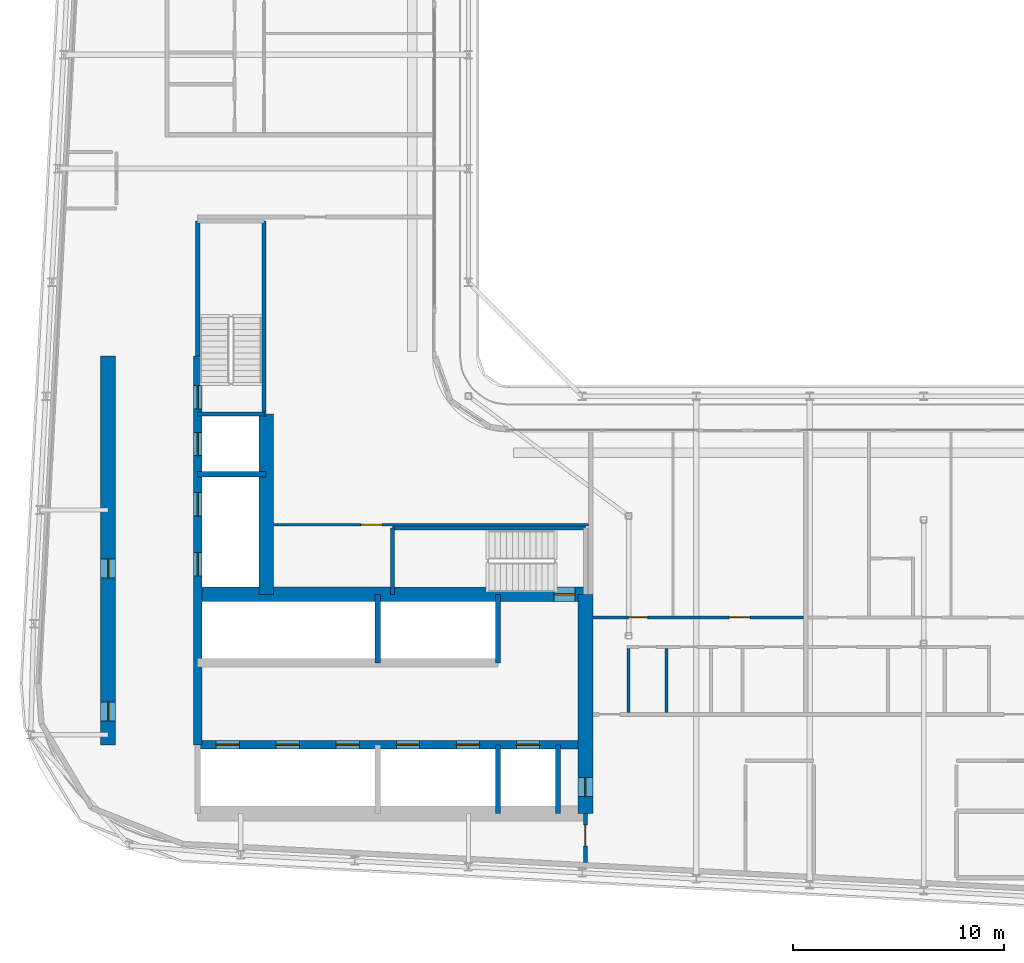
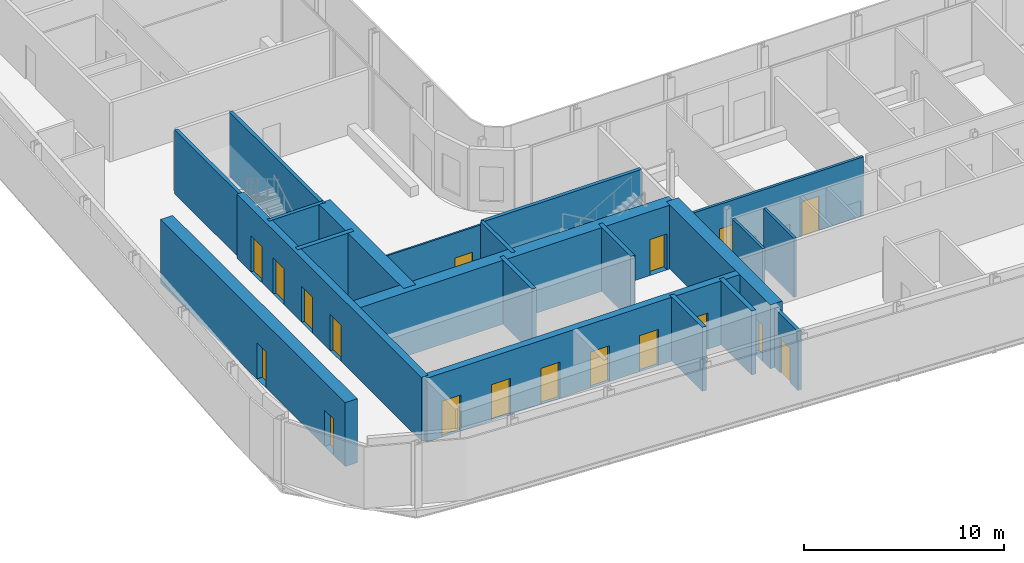
# One storey, part 10 of 22: 22 walls, 18 doors, 18 openings.
"""IFC4 building model written with IfcOpenShell, lengths in metres."""

from ifc_helpers import new_model, si_unit, direction, frame, frame_2d, origin, place, context, subcontext, project, spatial, rectangle, extrude, source, transform, mapped, material, layer, layer_set, type_object, element, fill, save


model = new_model("IFC4")

# Units and contexts
model_context = context("Model", 3, precision=1e-05, world=origin(), true_north=direction((0.0, 1.0)))
body_context = subcontext(model_context, "Body", "Model", "MODEL_VIEW")
ifc_project = project(units=[si_unit("LENGTHUNIT", "METRE"), si_unit("AREAUNIT", "SQUARE_METRE"), si_unit("VOLUMEUNIT", "CUBIC_METRE"), si_unit("PLANEANGLEUNIT", "RADIAN"), si_unit("MASSUNIT", "GRAM", prefix="KILO")], contexts=[model_context])

# Site, building, storey
site_placement = place(None, origin())
site = spatial("IfcSite", under=ifc_project, at=site_placement, CompositionType="ELEMENT")
building_placement = place(site_placement, origin())
building = spatial("IfcBuilding", under=site, at=building_placement, Name="Kheshtan School and Residences Tower", CompositionType="ELEMENT")
storey_placement = place(building_placement, frame((0.0, 0.0, 251.300048828125)))
storey = spatial("IfcBuildingStorey", under=building, at=storey_placement, Name="L59", CompositionType="ELEMENT", Elevation=251.300048828125)

# Wall, openings, doors
ifc_material_1 = material(Name="Concrete C50/60", Category="concrete")
ifc_layer_1 = layer(ifc_material_1, 0.39990234375)
ifc_layer_set_1 = layer_set([ifc_layer_1], Name="Core wall 400 Concrete C50/60")
wall_type_1 = type_object("IfcWallType", Name="Core wall 400 Concrete C50/60", PredefinedType="SHEAR", material=ifc_layer_set_1)
wall_1_placement = place(storey_placement, frame((34.75, 29.050048828125, 0.0), z_axis=(0.0, 0.0, 1.0), x_axis=(1.0, 0.0, 0.0)))
wall_1 = element("IfcWall", 1, at=wall_1_placement, inside=storey, type_object=wall_type_1, Name="Core wall CW-HALL-S1", PredefinedType="SHEAR", context=body_context, shape_type="SweptSolid", body=[
    extrude(rectangle(XDim=18.39990234375, YDim=0.39990234375, at=frame_2d((9.199951171875, 0.0))), origin(), (0.0, 0.0, 1.0), 3.89990234375),
])
opening_1_placement = place(wall_1_placement, frame((0.875, 0.0, 0.0)))
opening_1 = element("IfcOpeningElement", 2, at=opening_1_placement, cuts=wall_1, Name="Opening LD", PredefinedType="OPENING", context=body_context, shape_type="SweptSolid", body=[
    extrude(rectangle(XDim=1.10009765625, YDim=2.199951171875, at=frame_2d((0.550048828125, 1.10009765625))), frame((0.0, 0.2099609375, 0.0), z_axis=(0.0, -1.0, 0.0), x_axis=(1.0, 0.0, 0.0)), (0.0, 0.0, 1.0), 0.419921875),
])
opening_2_placement = place(wall_1_placement, frame((3.72509765625, 0.0, 0.0)))
opening_2 = element("IfcOpeningElement", 3, at=opening_2_placement, cuts=wall_1, Name="Opening LD", PredefinedType="OPENING", context=body_context, shape_type="SweptSolid", body=[
    extrude(rectangle(XDim=1.10009765625, YDim=2.199951171875, at=frame_2d((0.550048828125, 1.10009765625))), frame((0.0, 0.2099609375, 0.0), z_axis=(0.0, -1.0, 0.0), x_axis=(1.0, 0.0, 0.0)), (0.0, 0.0, 1.0), 0.419921875),
])
opening_3_placement = place(wall_1_placement, frame((6.574951171875, 0.0, 0.0)))
opening_3 = element("IfcOpeningElement", 4, at=opening_3_placement, cuts=wall_1, Name="Opening LD", PredefinedType="OPENING", context=body_context, shape_type="SweptSolid", body=[
    extrude(rectangle(XDim=1.10009765625, YDim=2.199951171875, at=frame_2d((0.550048828125, 1.10009765625))), frame((0.0, 0.2099609375, 0.0), z_axis=(0.0, -1.0, 0.0), x_axis=(1.0, 0.0, 0.0)), (0.0, 0.0, 1.0), 0.419921875),
])
opening_4_placement = place(wall_1_placement, frame((9.425048828125, 0.0, 0.0)))
opening_4 = element("IfcOpeningElement", 5, at=opening_4_placement, cuts=wall_1, Name="Opening LD", PredefinedType="OPENING", context=body_context, shape_type="SweptSolid", body=[
    extrude(rectangle(XDim=1.10009765625, YDim=2.199951171875, at=frame_2d((0.550048828125, 1.10009765625))), frame((0.0, 0.2099609375, 0.0), z_axis=(0.0, -1.0, 0.0), x_axis=(1.0, 0.0, 0.0)), (0.0, 0.0, 1.0), 0.419921875),
])
opening_5_placement = place(wall_1_placement, frame((12.27490234375, 0.0, 0.0)))
opening_5 = element("IfcOpeningElement", 6, at=opening_5_placement, cuts=wall_1, Name="Opening LD", PredefinedType="OPENING", context=body_context, shape_type="SweptSolid", body=[
    extrude(rectangle(XDim=1.10009765625, YDim=2.199951171875, at=frame_2d((0.550048828125, 1.10009765625))), frame((0.0, 0.2099609375, 0.0), z_axis=(0.0, -1.0, 0.0), x_axis=(1.0, 0.0, 0.0)), (0.0, 0.0, 1.0), 0.419921875),
])
opening_6_placement = place(wall_1_placement, frame((15.125, 0.0, 0.0)))
opening_6 = element("IfcOpeningElement", 7, at=opening_6_placement, cuts=wall_1, Name="Opening LD", PredefinedType="OPENING", context=body_context, shape_type="SweptSolid", body=[
    extrude(rectangle(XDim=1.10009765625, YDim=2.199951171875, at=frame_2d((0.550048828125, 1.10009765625))), frame((0.0, 0.2099609375, 0.0), z_axis=(0.0, -1.0, 0.0), x_axis=(1.0, 0.0, 0.0)), (0.0, 0.0, 1.0), 0.419921875),
])
ifc_material_2 = material(Name="Stainless steel door leaves", Category="steel")
door_type_1 = type_object("IfcDoorType", Name="Lift landing door 1100", OperationType="SLIDING_TO_LEFT", PredefinedType="DOOR", material=ifc_material_2)
shared_shape_1 = source(origin(), body_context, "Body", "SweptSolid", [
    extrude(rectangle(XDim=1.10009765625, YDim=2.199951171875, at=frame_2d((0.550048828125, 1.10009765625))), frame((0.0, 0.02490234375, 0.0), z_axis=(0.0, -1.0, 0.0), x_axis=(1.0, 0.0, 0.0)), (0.0, 0.0, 1.0), 0.050048828125),
])
door_1_placement = place(opening_1_placement, origin())
door_1 = element("IfcDoor", 8, at=door_1_placement, inside=storey, type_object=door_type_1, Name="Lift P7 landing door", OperationType="SLIDING_TO_LEFT", OverallHeight=2.199951171875, OverallWidth=1.10009765625, PredefinedType="DOOR", context=body_context, shape_type="MappedRepresentation", body=[
    mapped(shared_shape_1, transform((0.0, 0.0, 0.0), x_axis=(1.0, 0.0, 0.0), y_axis=(0.0, 1.0, 0.0), z_axis=(0.0, 0.0, 1.0), scale=1.0)),
])
fill(opening_1, door_1)
door_2_placement = place(opening_2_placement, origin())
door_2 = element("IfcDoor", 9, at=door_2_placement, inside=storey, type_object=door_type_1, Name="Lift P8 landing door", OperationType="SLIDING_TO_LEFT", OverallHeight=2.199951171875, OverallWidth=1.10009765625, PredefinedType="DOOR", context=body_context, shape_type="MappedRepresentation", body=[
    mapped(shared_shape_1, transform((0.0, 0.0, 0.0), x_axis=(1.0, 0.0, 0.0), y_axis=(0.0, 1.0, 0.0), z_axis=(0.0, 0.0, 1.0), scale=1.0)),
])
fill(opening_2, door_2)
door_3_placement = place(opening_3_placement, origin())
door_3 = element("IfcDoor", 10, at=door_3_placement, inside=storey, type_object=door_type_1, Name="Lift P9 landing door", OperationType="SLIDING_TO_LEFT", OverallHeight=2.199951171875, OverallWidth=1.10009765625, PredefinedType="DOOR", context=body_context, shape_type="MappedRepresentation", body=[
    mapped(shared_shape_1, transform((0.0, 0.0, 0.0), x_axis=(1.0, 0.0, 0.0), y_axis=(0.0, 1.0, 0.0), z_axis=(0.0, 0.0, 1.0), scale=1.0)),
])
fill(opening_3, door_3)
door_4_placement = place(opening_4_placement, origin())
door_4 = element("IfcDoor", 11, at=door_4_placement, inside=storey, type_object=door_type_1, Name="Lift P10 landing door", OperationType="SLIDING_TO_LEFT", OverallHeight=2.199951171875, OverallWidth=1.10009765625, PredefinedType="DOOR", context=body_context, shape_type="MappedRepresentation", body=[
    mapped(shared_shape_1, transform((0.0, 0.0, 0.0), x_axis=(1.0, 0.0, 0.0), y_axis=(0.0, 1.0, 0.0), z_axis=(0.0, 0.0, 1.0), scale=1.0)),
])
fill(opening_4, door_4)
door_5_placement = place(opening_5_placement, origin())
door_5 = element("IfcDoor", 12, at=door_5_placement, inside=storey, type_object=door_type_1, Name="Lift P11 landing door", OperationType="SLIDING_TO_LEFT", OverallHeight=2.199951171875, OverallWidth=1.10009765625, PredefinedType="DOOR", context=body_context, shape_type="MappedRepresentation", body=[
    mapped(shared_shape_1, transform((0.0, 0.0, 0.0), x_axis=(1.0, 0.0, 0.0), y_axis=(0.0, 1.0, 0.0), z_axis=(0.0, 0.0, 1.0), scale=1.0)),
])
fill(opening_5, door_5)
door_6_placement = place(opening_6_placement, origin())
door_6 = element("IfcDoor", 13, at=door_6_placement, inside=storey, type_object=door_type_1, Name="Lift FFL2 landing door", OperationType="SLIDING_TO_LEFT", OverallHeight=2.199951171875, OverallWidth=1.10009765625, PredefinedType="DOOR", context=body_context, shape_type="MappedRepresentation", body=[
    mapped(shared_shape_1, transform((0.0, 0.0, 0.0), x_axis=(1.0, 0.0, 0.0), y_axis=(0.0, 1.0, 0.0), z_axis=(0.0, 0.0, 1.0), scale=1.0)),
])
fill(opening_6, door_6)

wall_2_placement = place(storey_placement, frame((34.75, 29.050048828125, 0.0), z_axis=(0.0, 0.0, 1.0), x_axis=(0.0, 1.0, 0.0)))
wall_2 = element("IfcWall", 14, at=wall_2_placement, inside=storey, type_object=wall_type_1, Name="Core wall CW-HALL-W1", PredefinedType="SHEAR", context=body_context, shape_type="SweptSolid", body=[
    extrude(rectangle(XDim=18.449951171875, YDim=0.39990234375, at=frame_2d((9.22509765625, 0.0))), origin(), (0.0, 0.0, 1.0), 3.89990234375),
])
opening_7_placement = place(wall_2_placement, frame((8.02490234375, 0.0, 0.0)))
opening_7 = element("IfcOpeningElement", 15, at=opening_7_placement, cuts=wall_2, Name="Opening LD", PredefinedType="OPENING", context=body_context, shape_type="SweptSolid", body=[
    extrude(rectangle(XDim=1.10009765625, YDim=2.199951171875, at=frame_2d((0.550048828125, 1.10009765625))), frame((0.0, 0.2099609375, 0.0), z_axis=(0.0, -1.0, 0.0), x_axis=(1.0, 0.0, 0.0)), (0.0, 0.0, 1.0), 0.419921875),
])
opening_8_placement = place(wall_2_placement, frame((10.875, 0.0, 0.0)))
opening_8 = element("IfcOpeningElement", 16, at=opening_8_placement, cuts=wall_2, Name="Opening LD", PredefinedType="OPENING", context=body_context, shape_type="SweptSolid", body=[
    extrude(rectangle(XDim=1.10009765625, YDim=2.199951171875, at=frame_2d((0.550048828125, 1.10009765625))), frame((0.0, 0.2099609375, 0.0), z_axis=(0.0, -1.0, 0.0), x_axis=(1.0, 0.0, 0.0)), (0.0, 0.0, 1.0), 0.419921875),
])
opening_9_placement = place(wall_2_placement, frame((13.72509765625, 0.0, 0.0)))
opening_9 = element("IfcOpeningElement", 17, at=opening_9_placement, cuts=wall_2, Name="Opening LD", PredefinedType="OPENING", context=body_context, shape_type="SweptSolid", body=[
    extrude(rectangle(XDim=1.10009765625, YDim=2.199951171875, at=frame_2d((0.550048828125, 1.10009765625))), frame((0.0, 0.2099609375, 0.0), z_axis=(0.0, -1.0, 0.0), x_axis=(1.0, 0.0, 0.0)), (0.0, 0.0, 1.0), 0.419921875),
])
opening_10_placement = place(wall_2_placement, frame((15.949951171875, 0.0, 0.0)))
opening_10 = element("IfcOpeningElement", 18, at=opening_10_placement, cuts=wall_2, Name="Opening ST2D", PredefinedType="OPENING", context=body_context, shape_type="SweptSolid", body=[
    extrude(rectangle(XDim=1.10009765625, YDim=2.199951171875, at=frame_2d((0.550048828125, 1.10009765625))), frame((0.0, 0.2099609375, 0.0), z_axis=(0.0, -1.0, 0.0), x_axis=(1.0, 0.0, 0.0)), (0.0, 0.0, 1.0), 0.419921875),
])
door_7_placement = place(opening_7_placement, origin())
door_7 = element("IfcDoor", 19, at=door_7_placement, inside=storey, type_object=door_type_1, Name="Lift SV1 landing door", OperationType="SLIDING_TO_LEFT", OverallHeight=2.199951171875, OverallWidth=1.10009765625, PredefinedType="DOOR", context=body_context, shape_type="MappedRepresentation", body=[
    mapped(shared_shape_1, transform((0.0, 0.0, 0.0), x_axis=(1.0, 0.0, 0.0), y_axis=(0.0, 1.0, 0.0), z_axis=(0.0, 0.0, 1.0), scale=1.0)),
])
fill(opening_7, door_7)
door_8_placement = place(opening_8_placement, origin())
door_8 = element("IfcDoor", 20, at=door_8_placement, inside=storey, type_object=door_type_1, Name="Lift SV2 landing door", OperationType="SLIDING_TO_LEFT", OverallHeight=2.199951171875, OverallWidth=1.10009765625, PredefinedType="DOOR", context=body_context, shape_type="MappedRepresentation", body=[
    mapped(shared_shape_1, transform((0.0, 0.0, 0.0), x_axis=(1.0, 0.0, 0.0), y_axis=(0.0, 1.0, 0.0), z_axis=(0.0, 0.0, 1.0), scale=1.0)),
])
fill(opening_8, door_8)
door_9_placement = place(opening_9_placement, origin())
door_9 = element("IfcDoor", 21, at=door_9_placement, inside=storey, type_object=door_type_1, Name="Lift FFL1 landing door", OperationType="SLIDING_TO_LEFT", OverallHeight=2.199951171875, OverallWidth=1.10009765625, PredefinedType="DOOR", context=body_context, shape_type="MappedRepresentation", body=[
    mapped(shared_shape_1, transform((0.0, 0.0, 0.0), x_axis=(1.0, 0.0, 0.0), y_axis=(0.0, 1.0, 0.0), z_axis=(0.0, 0.0, 1.0), scale=1.0)),
])
fill(opening_9, door_9)
ifc_material_3 = material(Name="Steel door leaf, galvanised", Category="steel")
door_type_2 = type_object("IfcDoorType", Name="Stair door 1100 steel 90 min", OperationType="SINGLE_SWING_LEFT", PredefinedType="DOOR", material=ifc_material_3)
shared_shape_2 = source(origin(), body_context, "Body", "SweptSolid", [
    extrude(rectangle(XDim=1.10009765625, YDim=2.199951171875, at=frame_2d((0.550048828125, 1.10009765625))), frame((0.0, 0.02490234375, 0.0), z_axis=(0.0, -1.0, 0.0), x_axis=(1.0, 0.0, 0.0)), (0.0, 0.0, 1.0), 0.050048828125),
])
door_10_placement = place(opening_10_placement, origin())
door_10 = element("IfcDoor", 22, at=door_10_placement, inside=storey, type_object=door_type_2, Name="Stair ST2 door", OperationType="SINGLE_SWING_RIGHT", OverallHeight=2.199951171875, OverallWidth=1.10009765625, PredefinedType="DOOR", context=body_context, shape_type="MappedRepresentation", body=[
    mapped(shared_shape_2, transform((0.0, 0.0, 0.0), x_axis=(1.0, 0.0, 0.0), y_axis=(0.0, 1.0, 0.0), z_axis=(0.0, 0.0, 1.0), scale=1.0)),
])
fill(opening_10, door_10)

# Wall, opening, door
ifc_material_4 = material(Name="Concrete C70/85", Category="concrete")
ifc_layer_2 = layer(ifc_material_4, 0.699951171875)
ifc_layer_set_2 = layer_set([ifc_layer_2], Name="Core wall 700 Concrete C70/85")
wall_type_2 = type_object("IfcWallType", Name="Core wall 700 Concrete C70/85", PredefinedType="SHEAR", material=ifc_layer_set_2)
wall_3_placement = place(storey_placement, frame((34.75, 36.199951171875, 0.0), z_axis=(0.0, 0.0, 1.0), x_axis=(1.0, 0.0, 0.0)))
wall_3 = element("IfcWall", 23, at=wall_3_placement, inside=storey, type_object=wall_type_2, Name="Core wall CW-FRONT-S", PredefinedType="SHEAR", context=body_context, shape_type="SweptSolid", body=[
    extrude(rectangle(XDim=18.39990234375, YDim=0.699951171875, at=frame_2d((9.199951171875, 0.0))), origin(), (0.0, 0.0, 1.0), 3.89990234375),
])
opening_11_placement = place(wall_3_placement, frame((16.89990234375, 0.0, 0.0)))
opening_11 = element("IfcOpeningElement", 24, at=opening_11_placement, cuts=wall_3, Name="Opening ST1D", PredefinedType="OPENING", context=body_context, shape_type="SweptSolid", body=[
    extrude(rectangle(XDim=1.0, YDim=2.199951171875, at=frame_2d((0.5, 1.10009765625))), frame((0.0, 0.35986328125, 0.0), z_axis=(0.0, -1.0, 0.0), x_axis=(1.0, 0.0, 0.0)), (0.0, 0.0, 1.0), 0.719970703125),
])
shared_shape_3 = source(origin(), body_context, "Body", "SweptSolid", [
    extrude(rectangle(XDim=1.0, YDim=2.199951171875, at=frame_2d((0.5, 1.10009765625))), frame((0.0, 0.02490234375, 0.0), z_axis=(0.0, -1.0, 0.0), x_axis=(1.0, 0.0, 0.0)), (0.0, 0.0, 1.0), 0.050048828125),
])
door_11_placement = place(opening_11_placement, origin())
door_11 = element("IfcDoor", 25, at=door_11_placement, inside=storey, type_object=door_type_2, Name="Stair ST1 door", OperationType="SINGLE_SWING_RIGHT", OverallHeight=2.199951171875, OverallWidth=1.0, PredefinedType="DOOR", context=body_context, shape_type="MappedRepresentation", body=[
    mapped(shared_shape_3, transform((0.0, 0.0, 0.0), x_axis=(1.0, 0.0, 0.0), y_axis=(0.0, 1.0, 0.0), z_axis=(0.0, 0.0, 1.0), scale=1.0)),
])
fill(opening_11, door_11)

# Wall
wall_4_placement = place(storey_placement, frame((38.0, 36.199951171875, 0.0), z_axis=(0.0, 0.0, 1.0), x_axis=(0.0, 1.0, 0.0)))
element("IfcWall", 26, at=wall_4_placement, inside=storey, type_object=wall_type_2, Name="Core wall CW-FRONT-W", PredefinedType="SHEAR", context=body_context, shape_type="SweptSolid", body=[
    extrude(rectangle(XDim=8.550048828125, YDim=0.699951171875, at=frame_2d((4.27490234375, 0.0))), origin(), (0.0, 0.0, 1.0), 3.89990234375),
])

# Wall, openings, doors
wall_5_placement = place(storey_placement, frame((30.5, 29.050048828125, 0.0), z_axis=(0.0, 0.0, 1.0), x_axis=(0.0, 1.0, 0.0)))
wall_5 = element("IfcWall", 27, at=wall_5_placement, inside=storey, type_object=wall_type_2, Name="Core wall CW-REAR-W", PredefinedType="SHEAR", context=body_context, shape_type="SweptSolid", body=[
    extrude(rectangle(XDim=18.449951171875, YDim=0.699951171875, at=frame_2d((9.22509765625, 0.0))), origin(), (0.0, 0.0, 1.0), 3.89990234375),
])
opening_12_placement = place(wall_5_placement, frame((1.14697265625, 0.0, 0.0)))
opening_12 = element("IfcOpeningElement", 28, at=opening_12_placement, cuts=wall_5, Name="Opening SR90", PredefinedType="OPENING", context=body_context, shape_type="SweptSolid", body=[
    extrude(rectangle(XDim=0.89990234375, YDim=2.199951171875, at=frame_2d((0.449951171875, 1.10009765625))), frame((0.0, 0.35986328125, 0.0), z_axis=(0.0, -1.0, 0.0), x_axis=(1.0, 0.0, 0.0)), (0.0, 0.0, 1.0), 0.719970703125),
])
opening_13_placement = place(wall_5_placement, frame((7.925048828125, 0.0, 0.0)))
opening_13 = element("IfcOpeningElement", 29, at=opening_13_placement, cuts=wall_5, Name="Opening SR90", PredefinedType="OPENING", context=body_context, shape_type="SweptSolid", body=[
    extrude(rectangle(XDim=0.89990234375, YDim=2.199951171875, at=frame_2d((0.449951171875, 1.10009765625))), frame((0.0, 0.35986328125, 0.0), z_axis=(0.0, -1.0, 0.0), x_axis=(1.0, 0.0, 0.0)), (0.0, 0.0, 1.0), 0.719970703125),
])
door_type_3 = type_object("IfcDoorType", Name="Service room door 900 steel 90 min", OperationType="SINGLE_SWING_LEFT", PredefinedType="DOOR", material=ifc_material_3)
shared_shape_4 = source(origin(), body_context, "Body", "SweptSolid", [
    extrude(rectangle(XDim=0.89990234375, YDim=2.199951171875, at=frame_2d((0.449951171875, 1.10009765625))), frame((0.0, 0.02490234375, 0.0), z_axis=(0.0, -1.0, 0.0), x_axis=(1.0, 0.0, 0.0)), (0.0, 0.0, 1.0), 0.050048828125),
])
door_12_placement = place(opening_12_placement, origin())
door_12 = element("IfcDoor", 30, at=door_12_placement, inside=storey, type_object=door_type_3, Name="Service room door", OperationType="SINGLE_SWING_LEFT", OverallHeight=2.199951171875, OverallWidth=0.89990234375, PredefinedType="DOOR", context=body_context, shape_type="MappedRepresentation", body=[
    mapped(shared_shape_4, transform((0.0, 0.0, 0.0), x_axis=(1.0, 0.0, 0.0), y_axis=(0.0, 1.0, 0.0), z_axis=(0.0, 0.0, 1.0), scale=1.0)),
])
fill(opening_12, door_12)
door_13_placement = place(opening_13_placement, origin())
door_13 = element("IfcDoor", 31, at=door_13_placement, inside=storey, type_object=door_type_3, Name="Service room door", OperationType="SINGLE_SWING_LEFT", OverallHeight=2.199951171875, OverallWidth=0.89990234375, PredefinedType="DOOR", context=body_context, shape_type="MappedRepresentation", body=[
    mapped(shared_shape_4, transform((0.0, 0.0, 0.0), x_axis=(1.0, 0.0, 0.0), y_axis=(0.0, 1.0, 0.0), z_axis=(0.0, 0.0, 1.0), scale=1.0)),
])
fill(opening_13, door_13)

# Wall, opening, door
wall_6_placement = place(storey_placement, frame((53.14990234375, 25.800048828125, 0.0), z_axis=(0.0, 0.0, 1.0), x_axis=(0.0, 1.0, 0.0)))
wall_6 = element("IfcWall", 32, at=wall_6_placement, inside=storey, type_object=wall_type_2, Name="Core wall CW-EAST", PredefinedType="SHEAR", context=body_context, shape_type="SweptSolid", body=[
    extrude(rectangle(XDim=10.39990234375, YDim=0.699951171875, at=frame_2d((5.199951171875, 0.0))), origin(), (0.0, 0.0, 1.0), 3.89990234375),
])
opening_14_placement = place(wall_6_placement, frame((0.800048828125, 0.0, 0.0)))
opening_14 = element("IfcOpeningElement", 33, at=opening_14_placement, cuts=wall_6, Name="Opening SR90", PredefinedType="OPENING", context=body_context, shape_type="SweptSolid", body=[
    extrude(rectangle(XDim=0.89990234375, YDim=2.199951171875, at=frame_2d((0.449951171875, 1.10009765625))), frame((0.0, 0.35986328125, 0.0), z_axis=(0.0, -1.0, 0.0), x_axis=(1.0, 0.0, 0.0)), (0.0, 0.0, 1.0), 0.719970703125),
])
door_14_placement = place(opening_14_placement, origin())
door_14 = element("IfcDoor", 34, at=door_14_placement, inside=storey, type_object=door_type_3, Name="Service room door", OperationType="SINGLE_SWING_LEFT", OverallHeight=2.199951171875, OverallWidth=0.89990234375, PredefinedType="DOOR", context=body_context, shape_type="MappedRepresentation", body=[
    mapped(shared_shape_4, transform((0.0, 0.0, 0.0), x_axis=(1.0, 0.0, 0.0), y_axis=(0.0, 1.0, 0.0), z_axis=(0.0, 0.0, 1.0), scale=1.0)),
])
fill(opening_14, door_14)

ifc_material_5 = material(Name="Gypsum board on steel studs with fire boards", Category="steel")
ifc_layer_3 = layer(ifc_material_5, 0.199951171875)
ifc_layer_set_3 = layer_set([ifc_layer_3], Name="Corridor wall 200")
wall_type_3 = type_object("IfcWallType", Name="Corridor wall 200", PredefinedType="PARTITIONING", material=ifc_layer_set_3)
wall_7_placement = place(storey_placement, frame((53.14990234375, 23.472412109375, 0.0), z_axis=(0.0, 0.0, 1.0), x_axis=(0.0, 1.0, 0.0)))
wall_7 = element("IfcWall", 35, at=wall_7_placement, inside=storey, type_object=wall_type_3, Name="Partition L59-029", PredefinedType="PARTITIONING", context=body_context, shape_type="SweptSolid", body=[
    extrude(rectangle(XDim=2.32763671875, YDim=0.199951171875, at=frame_2d((1.163818359375, 0.0))), origin(), (0.0, 0.0, 1.0), 3.599853515625),
])
opening_15_placement = place(wall_7_placement, frame((0.784912109375, 0.0, 0.0)))
opening_15 = element("IfcOpeningElement", 36, at=opening_15_placement, cuts=wall_7, Name="Opening D58-040", PredefinedType="OPENING", context=body_context, shape_type="SweptSolid", body=[
    extrude(rectangle(XDim=1.0, YDim=2.10009765625, at=frame_2d((0.5, 1.050048828125))), frame((0.0, 0.10986328125, 0.0), z_axis=(0.0, -1.0, 0.0), x_axis=(1.0, 0.0, 0.0)), (0.0, 0.0, 1.0), 0.219970703125),
])
ifc_material_6 = material(Name="Steel-framed fire-resisting door leaf", Category="steel")
door_type_4 = type_object("IfcDoorType", Name="Fire door FD60 1000 x 2100", OperationType="SINGLE_SWING_LEFT", PredefinedType="DOOR", material=ifc_material_6)
shared_shape_5 = source(origin(), body_context, "Body", "SweptSolid", [
    extrude(rectangle(XDim=1.0, YDim=2.10009765625, at=frame_2d((0.5, 1.050048828125))), frame((0.0, 0.02490234375, 0.0), z_axis=(0.0, -1.0, 0.0), x_axis=(1.0, 0.0, 0.0)), (0.0, 0.0, 1.0), 0.050048828125),
])
door_15_placement = place(opening_15_placement, origin())
door_15 = element("IfcDoor", 37, at=door_15_placement, inside=storey, type_object=door_type_4, Name="Door D58-040", OperationType="SINGLE_SWING_RIGHT", OverallHeight=2.10009765625, OverallWidth=1.0, PredefinedType="DOOR", context=body_context, shape_type="MappedRepresentation", body=[
    mapped(shared_shape_5, transform((0.0, 0.0, 0.0), x_axis=(1.0, 0.0, 0.0), y_axis=(0.0, 1.0, 0.0), z_axis=(0.0, 0.0, 1.0), scale=1.0)),
])
fill(opening_15, door_15)

ifc_material_7 = material(Name="Gypsum board on steel studs", Category="steel")
ifc_layer_4 = layer(ifc_material_7, 0.10009765625)
ifc_layer_set_4 = layer_set([ifc_layer_4], Name="Gypsum partition 100")
wall_type_4 = type_object("IfcWallType", Name="Gypsum partition 100", PredefinedType="PARTITIONING", material=ifc_layer_set_4)
wall_8_placement = place(storey_placement, frame((38.34912109375, 39.5, 0.0), z_axis=(0.0, 0.0, 1.0), x_axis=(1.0, 0.0, 0.0)))
wall_8 = element("IfcWall", 38, at=wall_8_placement, inside=storey, type_object=wall_type_4, Name="Partition L59-028", PredefinedType="PARTITIONING", context=body_context, shape_type="SweptSolid", body=[
    extrude(rectangle(XDim=14.950927734375, YDim=0.10009765625, at=frame_2d((7.4755859375, 0.0))), origin(), (0.0, 0.0, 1.0), 3.599853515625),
])
opening_16_placement = place(wall_8_placement, frame((4.14697265625, 0.0, 0.0)))
opening_16 = element("IfcOpeningElement", 39, at=opening_16_placement, cuts=wall_8, Name="Opening D58-041", PredefinedType="OPENING", context=body_context, shape_type="SweptSolid", body=[
    extrude(rectangle(XDim=1.0, YDim=2.10009765625, at=frame_2d((0.5, 1.050048828125))), frame((0.0, 0.06005859375, 0.0), z_axis=(0.0, -1.0, 0.0), x_axis=(1.0, 0.0, 0.0)), (0.0, 0.0, 1.0), 0.1201171875),
])
ifc_material_8 = material(Name="Veneered timber door leaf", Category="wood")
door_type_5 = type_object("IfcDoorType", Name="Door 1000 x 2100", OperationType="SINGLE_SWING_LEFT", PredefinedType="DOOR", material=ifc_material_8)
shared_shape_6 = source(origin(), body_context, "Body", "SweptSolid", [
    extrude(rectangle(XDim=1.0, YDim=2.10009765625, at=frame_2d((0.5, 1.050048828125))), frame((0.0, 0.02490234375, 0.0), z_axis=(0.0, -1.0, 0.0), x_axis=(1.0, 0.0, 0.0)), (0.0, 0.0, 1.0), 0.050048828125),
])
door_16_placement = place(opening_16_placement, origin())
door_16 = element("IfcDoor", 40, at=door_16_placement, inside=storey, type_object=door_type_5, Name="Door D58-041", OperationType="SINGLE_SWING_LEFT", OverallHeight=2.10009765625, OverallWidth=1.0, PredefinedType="DOOR", context=body_context, shape_type="MappedRepresentation", body=[
    mapped(shared_shape_6, transform((0.0, 0.0, 0.0), x_axis=(1.0, 0.0, 0.0), y_axis=(0.0, 1.0, 0.0), z_axis=(0.0, 0.0, 1.0), scale=1.0)),
])
fill(opening_16, door_16)

# Walls
ifc_material_9 = material(Name="Fire-board shaft wall system")
ifc_layer_5 = layer(ifc_material_9, 0.25)
ifc_layer_set_5 = layer_set([ifc_layer_5], Name="Shaft lining wall 250")
wall_type_5 = type_object("IfcWallType", Name="Shaft lining wall 250", PredefinedType="PARTITIONING", material=ifc_layer_set_5)
for number, where, z_axis, x_axis, name in (
    (41, (43.300048828125, 32.949951171875, 0.0), (0.0, 0.0, 1.0), (0.0, 1.0, 0.0), "Shaft lining wall"),
    (42, (49.0, 25.800048828125, 0.0), (0.0, 0.0, 1.0), (0.0, 1.0, 0.0), "Shaft lining wall"),
    (43, (49.0, 32.949951171875, 0.0), (0.0, 0.0, 1.0), (0.0, 1.0, 0.0), "Shaft lining wall"),
    (44, (51.85009765625, 25.800048828125, 0.0), (0.0, 0.0, 1.0), (0.0, 1.0, 0.0), "Shaft lining wall"),
    (45, (34.75, 41.89990234375, 0.0), (0.0, 0.0, 1.0), (1.0, 0.0, 0.0), "Shaft lining wall"),
):
    element("IfcWall", number, at=place(storey_placement, frame(where, z_axis=z_axis, x_axis=x_axis)), inside=storey, type_object=wall_type_5, Name=name, PredefinedType="PARTITIONING", context=body_context, shape_type="SweptSolid", body=[
        extrude(rectangle(XDim=3.25, YDim=0.25, at=frame_2d((1.625, 0.0))), origin(), (0.0, 0.0, 1.0), 3.89990234375),
    ])
wall_9_placement = place(storey_placement, frame((37.89990234375, 44.75, 0.0), z_axis=(0.0, 0.0, 1.0), x_axis=(1.0, 0.0, 0.0)))
element("IfcWall", 46, at=wall_9_placement, inside=storey, type_object=wall_type_5, Name="Shaft lining wall", PredefinedType="PARTITIONING", context=body_context, shape_type="SweptSolid", body=[
    extrude(rectangle(XDim=0.10009765625, YDim=0.25, at=frame_2d((0.050048828125, 0.0))), origin(), (0.0, 0.0, 1.0), 3.89990234375),
])
ifc_material_10 = material(Name="Concrete C40/50", Category="concrete")
ifc_layer_6 = layer(ifc_material_10, 0.199951171875)
ifc_layer_set_6 = layer_set([ifc_layer_6], Name="Stair enclosure wall 200 Concrete C40/50")
wall_type_6 = type_object("IfcWallType", Name="Stair enclosure wall 200 Concrete C40/50", PredefinedType="SHEAR", material=ifc_layer_set_6)
wall_10_placement = place(storey_placement, frame((43.989990234375, 39.35009765625, 0.0), z_axis=(0.0, 0.0, 1.0), x_axis=(1.0, 0.0, 0.0)))
element("IfcWall", 47, at=wall_10_placement, inside=storey, type_object=wall_type_6, Name="Stair enclosure wall ST1", PredefinedType="SHEAR", context=body_context, shape_type="SweptSolid", body=[
    extrude(rectangle(XDim=9.159912109375, YDim=0.199951171875, at=frame_2d((4.580078125, 0.0))), origin(), (0.0, 0.0, 1.0), 3.89990234375),
])
wall_11_placement = place(storey_placement, frame((43.989990234375, 36.199951171875, 0.0), z_axis=(0.0, 0.0, 1.0), x_axis=(0.0, 1.0, 0.0)))
element("IfcWall", 48, at=wall_11_placement, inside=storey, type_object=wall_type_6, Name="Stair enclosure wall ST1", PredefinedType="SHEAR", context=body_context, shape_type="SweptSolid", body=[
    extrude(rectangle(XDim=3.150146484375, YDim=0.199951171875, at=frame_2d((1.5751953125, 0.0))), origin(), (0.0, 0.0, 1.0), 3.89990234375),
])
wall_12_placement = place(storey_placement, frame((34.75, 44.75, 0.0), z_axis=(0.0, 0.0, 1.0), x_axis=(1.0, 0.0, 0.0)))
element("IfcWall", 49, at=wall_12_placement, inside=storey, type_object=wall_type_6, Name="Stair enclosure wall ST2", PredefinedType="SHEAR", context=body_context, shape_type="SweptSolid", body=[
    extrude(rectangle(XDim=3.14990234375, YDim=0.199951171875, at=frame_2d((1.574951171875, 0.0))), origin(), (0.0, 0.0, 1.0), 3.89990234375),
])
wall_13_placement = place(storey_placement, frame((34.75, 47.5, 0.0), z_axis=(0.0, 0.0, 1.0), x_axis=(0.0, 1.0, 0.0)))
element("IfcWall", 50, at=wall_13_placement, inside=storey, type_object=wall_type_6, Name="Stair enclosure wall ST2", PredefinedType="SHEAR", context=body_context, shape_type="SweptSolid", body=[
    extrude(rectangle(XDim=6.409912109375, YDim=0.199951171875, at=frame_2d((3.205078125, 0.0))), origin(), (0.0, 0.0, 1.0), 3.89990234375),
])
wall_14_placement = place(storey_placement, frame((37.89990234375, 44.75, 0.0), z_axis=(0.0, 0.0, 1.0), x_axis=(0.0, 1.0, 0.0)))
element("IfcWall", 51, at=wall_14_placement, inside=storey, type_object=wall_type_6, Name="Stair enclosure wall ST2", PredefinedType="SHEAR", context=body_context, shape_type="SweptSolid", body=[
    extrude(rectangle(XDim=9.159912109375, YDim=0.199951171875, at=frame_2d((4.580078125, 0.0))), origin(), (0.0, 0.0, 1.0), 3.89990234375),
])

# Wall, openings, doors
ifc_material_11 = material(Name="Moisture-resistant gypsum board on steel studs", Category="steel")
ifc_layer_7 = layer(ifc_material_11, 0.14990234375)
ifc_layer_set_7 = layer_set([ifc_layer_7], Name="Wet-room partition 150")
wall_type_7 = type_object("IfcWallType", Name="Wet-room partition 150", PredefinedType="PARTITIONING", material=ifc_layer_set_7)
wall_15_placement = place(storey_placement, frame((53.4990234375, 35.10009765625, 0.0), z_axis=(0.0, 0.0, 1.0), x_axis=(1.0, 0.0, 0.0)))
wall_15 = element("IfcWall", 52, at=wall_15_placement, inside=storey, type_object=wall_type_7, Name="Partition L59-032", PredefinedType="PARTITIONING", context=body_context, shape_type="SweptSolid", body=[
    extrude(rectangle(XDim=10.0009765625, YDim=0.14990234375, at=frame_2d((5.00048828125, 0.0))), origin(), (0.0, 0.0, 1.0), 3.599853515625),
])
opening_17_placement = place(wall_15_placement, frame((1.700927734375, 0.0, 0.0)))
opening_17 = element("IfcOpeningElement", 53, at=opening_17_placement, cuts=wall_15, Name="Opening D58-002", PredefinedType="OPENING", context=body_context, shape_type="SweptSolid", body=[
    extrude(rectangle(XDim=0.89990234375, YDim=2.10009765625, at=frame_2d((0.449951171875, 1.050048828125))), frame((0.0, 0.0849609375, 0.0), z_axis=(0.0, -1.0, 0.0), x_axis=(1.0, 0.0, 0.0)), (0.0, 0.0, 1.0), 0.169921875),
])
opening_18_placement = place(wall_15_placement, frame((6.450927734375, 0.0, 0.0)))
opening_18 = element("IfcOpeningElement", 54, at=opening_18_placement, cuts=wall_15, Name="Opening D58-006", PredefinedType="OPENING", context=body_context, shape_type="SweptSolid", body=[
    extrude(rectangle(XDim=1.0, YDim=2.10009765625, at=frame_2d((0.5, 1.050048828125))), frame((0.0, 0.0849609375, 0.0), z_axis=(0.0, -1.0, 0.0), x_axis=(1.0, 0.0, 0.0)), (0.0, 0.0, 1.0), 0.169921875),
])
door_17_placement = place(opening_18_placement, origin())
door_17 = element("IfcDoor", 55, at=door_17_placement, inside=storey, type_object=door_type_5, Name="Door D58-006", OperationType="SINGLE_SWING_RIGHT", OverallHeight=2.10009765625, OverallWidth=1.0, PredefinedType="DOOR", context=body_context, shape_type="MappedRepresentation", body=[
    mapped(shared_shape_6, transform((0.0, 0.0, 0.0), x_axis=(1.0, 0.0, 0.0), y_axis=(0.0, 1.0, 0.0), z_axis=(0.0, 0.0, 1.0), scale=1.0)),
])
fill(opening_18, door_17)
door_type_6 = type_object("IfcDoorType", Name="Door 900 x 2100", OperationType="SINGLE_SWING_LEFT", PredefinedType="DOOR", material=ifc_material_8)
shared_shape_7 = source(origin(), body_context, "Body", "SweptSolid", [
    extrude(rectangle(XDim=0.89990234375, YDim=2.10009765625, at=frame_2d((0.449951171875, 1.050048828125))), frame((0.0, 0.02490234375, 0.0), z_axis=(0.0, -1.0, 0.0), x_axis=(1.0, 0.0, 0.0)), (0.0, 0.0, 1.0), 0.050048828125),
])
door_18_placement = place(opening_17_placement, origin())
door_18 = element("IfcDoor", 56, at=door_18_placement, inside=storey, type_object=door_type_6, Name="Door D58-002", OperationType="SINGLE_SWING_RIGHT", OverallHeight=2.10009765625, OverallWidth=0.89990234375, PredefinedType="DOOR", context=body_context, shape_type="MappedRepresentation", body=[
    mapped(shared_shape_7, transform((0.0, 0.0, 0.0), x_axis=(1.0, 0.0, 0.0), y_axis=(0.0, 1.0, 0.0), z_axis=(0.0, 0.0, 1.0), scale=1.0)),
])
fill(opening_17, door_18)

# Walls
for number, where, z_axis, x_axis, name in (
    (57, (55.199951171875, 30.60009765625, 0.0), (0.0, 0.0, 1.0), (0.0, 1.0, 0.0), "Partition L59-034"),
    (58, (57.0, 30.60009765625, 0.0), (0.0, 0.0, 1.0), (0.0, 1.0, 0.0), "Partition L59-035"),
):
    element("IfcWall", number, at=place(storey_placement, frame(where, z_axis=z_axis, x_axis=x_axis)), inside=storey, type_object=wall_type_7, Name=name, PredefinedType="PARTITIONING", context=body_context, shape_type="SweptSolid", body=[
        extrude(rectangle(XDim=3.02490234375, YDim=0.14990234375, at=frame_2d((1.512451171875, 0.0))), origin(), (0.0, 0.0, 1.0), 3.599853515625),
    ])

save(model, "model.ifc")
